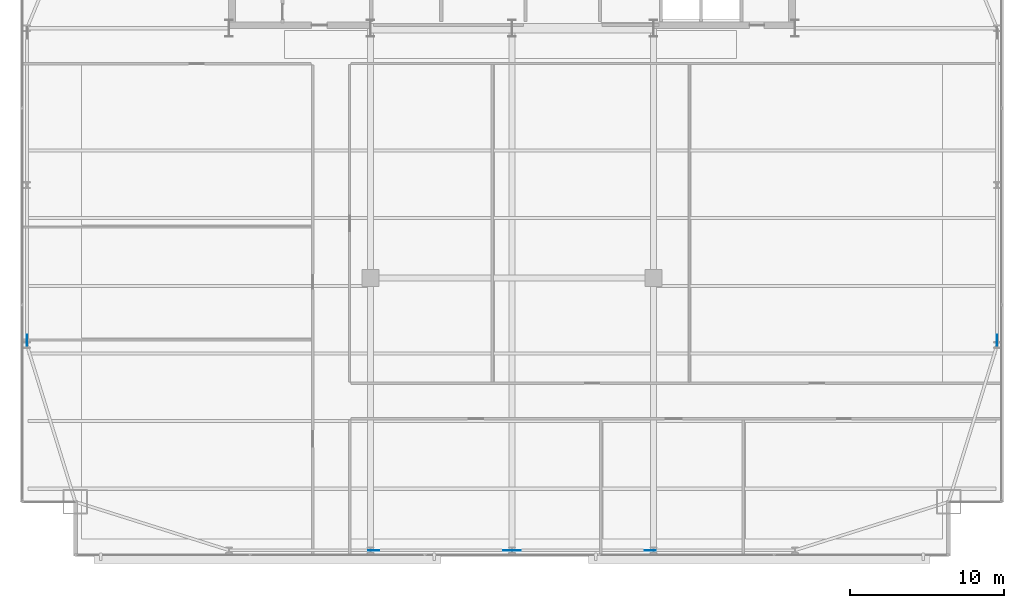
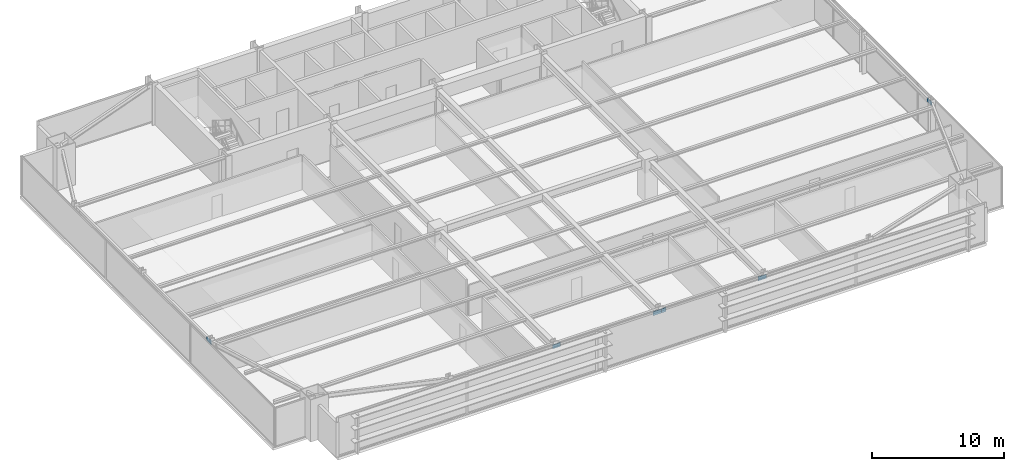
# One storey, part 26 of 32: 6 plates.
"""IFC4 building model written with IfcOpenShell, lengths in metres."""

from ifc_helpers import new_model, si_unit, direction, frame, origin, origin_2d, place, context, subcontext, project, spatial, rectangle, extrude, source, transform, mapped, material, layer, layer_set, type_object, type_shapes, element, save


model = new_model("IFC4")

# Units and contexts
model_context = context("Model", 3, precision=1e-05, world=origin(), true_north=direction((0.0, 1.0)))
body_context = subcontext(model_context, "Body", "Model", "MODEL_VIEW")
ifc_project = project(units=[si_unit("LENGTHUNIT", "METRE"), si_unit("AREAUNIT", "SQUARE_METRE"), si_unit("VOLUMEUNIT", "CUBIC_METRE"), si_unit("PLANEANGLEUNIT", "RADIAN"), si_unit("MASSUNIT", "GRAM", prefix="KILO")], contexts=[model_context])

# Site, building, storey
site_placement = place(None, origin())
site = spatial("IfcSite", under=ifc_project, at=site_placement, CompositionType="ELEMENT")
building_placement = place(site_placement, origin())
building = spatial("IfcBuilding", under=site, at=building_placement, Name="Varnel Quay Broadcast Tower", CompositionType="ELEMENT")
storey_placement = place(building_placement, frame((0.0, 0.0, 54.89990234375)))
storey = spatial("IfcBuildingStorey", under=building, at=storey_placement, Name="L12", CompositionType="ELEMENT", Elevation=54.89990234375)

# Plates
ifc_material = material(Name="Structural Steel CSA G40.21 350WT", Category="steel")
ifc_layer = layer(ifc_material, 0.031982421875, Name="Structural Steel CSA G40.21 350WT")
ifc_layer_set = layer_set([ifc_layer], Name="Structural Steel CSA G40.21 350WT")
plate_type = type_object("IfcPlateType", Name="Plate_EndCap", PredefinedType="USERDEFINED", material=ifc_layer_set)
shared_shape = source(origin(), body_context, "Body", "SweptSolid", [
    extrude(rectangle(XDim=0.719970703125, YDim=0.031982421875, at=origin_2d()), origin(), (0.0, 0.0, 1.0), 0.3798828125),
])
type_shapes(plate_type, [shared_shape])
for number, where, z_axis, x_axis, name in (
    (1, (33.80419921875, 1.64990234375, 3.114501953125), (0.0, 0.0, 1.0), (1.0, 0.0, 0.0), "Zone 1 Mega-Brace S-C1T2 Diag A End Connection Plate P1"),
    (2, (24.99560546875, 1.64990234375, 3.114501953125), (0.0, 0.0, 1.0), (1.0, 0.0, 0.0), "Zone 1 Mega-Brace S-C1T2 Diag B2 End Connection Plate P1"),
    (3, (43.00439453125, 1.64990234375, 3.114501953125), (0.0, 0.0, 1.0), (1.0, 0.0, 0.0), "Zone 1 Mega-Brace S-C2T2 Diag A End Connection Plate P1"),
    (4, (34.19580078125, 1.64990234375, 3.114501953125), (0.0, 0.0, 1.0), (1.0, 0.0, 0.0), "Zone 1 Mega-Brace S-C2T2 Diag B2 End Connection Plate P1"),
    (5, (2.449951171875, 15.304931640625, 3.21337890625), (0.0, 0.0, 1.0), (0.0, 1.0, 0.0), "Zone 1 Mega-Brace W-FT2 Diag B2 End Connection Plate P1"),
    (6, (65.550048828125, 15.304931640625, 3.21337890625), (0.0, 0.0, 1.0), (0.0, 1.0, 0.0), "Zone 1 Mega-Brace E-FT2 Diag B2 End Connection Plate P1"),
):
    element("IfcPlate", number, at=place(storey_placement, frame(where, z_axis=z_axis, x_axis=x_axis)), inside=storey, type_object=plate_type, Name=name, ObjectType="CAP_PLATE", PredefinedType="USERDEFINED", context=body_context, shape_type="MappedRepresentation", body=[
        mapped(shared_shape, transform((0.0, 0.0, 0.0), x_axis=(1.0, 0.0, 0.0), y_axis=(0.0, 1.0, 0.0), z_axis=(0.0, 0.0, 1.0), scale=1.0)),
    ])

save(model, "model.ifc")
